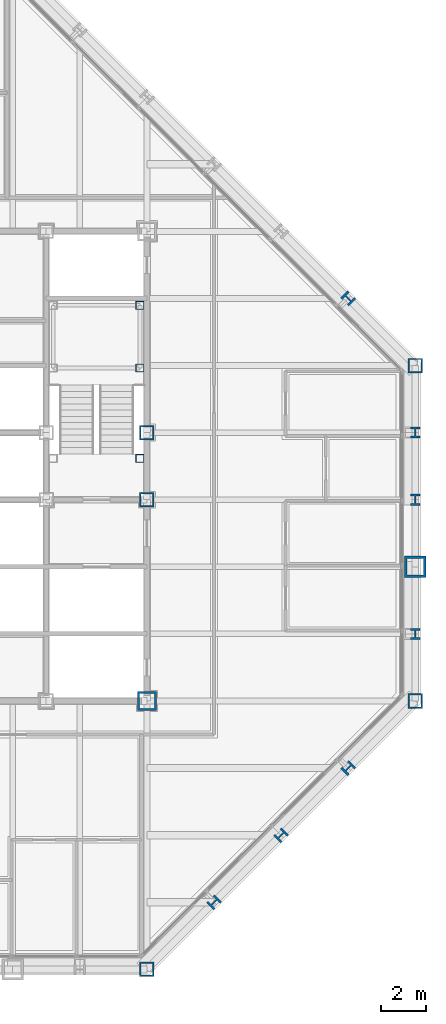
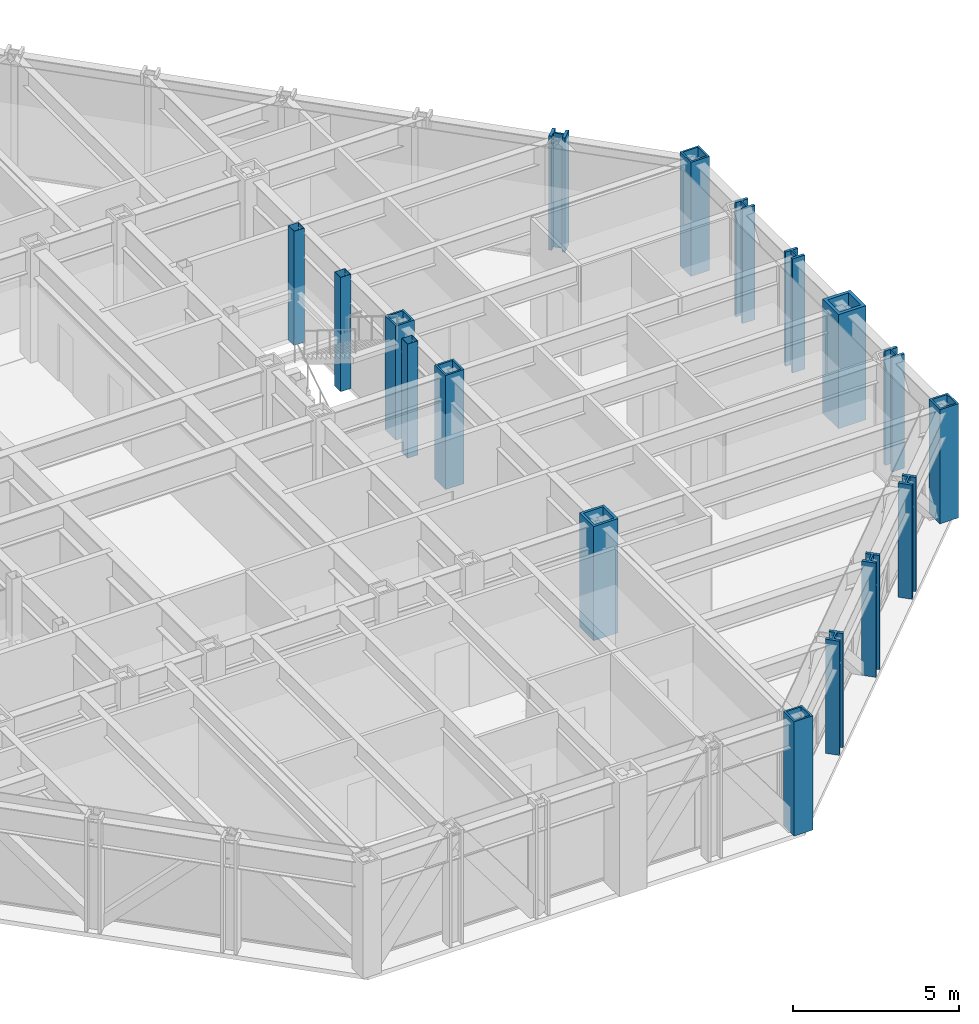
# One storey, part 3 of 16: 17 columns.
"""IFC4 building model written with IfcOpenShell, lengths in metres."""

from ifc_helpers import new_model, si_unit, direction, frame, origin, origin_2d, place, context, subcontext, project, spatial, hollow_rectangle, i_section, extrude, material, material_profile, profile_set, type_object, element, save


model = new_model("IFC4")

# Units and contexts
model_context = context("Model", 3, precision=1e-05, world=origin(), true_north=direction((0.0, 1.0)))
body_context = subcontext(model_context, "Body", "Model", "MODEL_VIEW")
ifc_project = project(units=[si_unit("LENGTHUNIT", "METRE"), si_unit("AREAUNIT", "SQUARE_METRE"), si_unit("VOLUMEUNIT", "CUBIC_METRE"), si_unit("PLANEANGLEUNIT", "RADIAN"), si_unit("MASSUNIT", "GRAM", prefix="KILO")], contexts=[model_context])

# Site, building, storey
site_placement = place(None, origin())
site = spatial("IfcSite", under=ifc_project, at=site_placement, CompositionType="ELEMENT")
building_placement = place(site_placement, origin())
building = spatial("IfcBuilding", under=site, at=building_placement, Name="Chuquiago Exchange Tower", CompositionType="ELEMENT")
storey_placement = place(building_placement, frame((0.0, 0.0, 205.5)))
storey = spatial("IfcBuildingStorey", under=building, at=storey_placement, Name="L45", CompositionType="ELEMENT", Elevation=205.5)

# Columns
ifc_material_1 = material(Name="Steel ASTM A992", Category="steel")
ifc_material_profile_1 = material_profile(ifc_material_1, i_section(OverallWidth=0.431884765625, OverallDepth=0.497802734375, WebThickness=0.0556640625, FlangeThickness=0.0888671875, at=origin_2d()), Name="W14X500")
ifc_profile_set_1 = profile_set([ifc_material_profile_1], Name="Steel ASTM A992")
column_type_1 = type_object("IfcColumnType", Name="C4 W14X500", PredefinedType="COLUMN", material=ifc_profile_set_1)
for number, where, z_axis, x_axis, name in (
    (1, (45.0, 15.0, 0.0), (0.0, 0.0, 1.0), (1.0, 0.0, 0.0), "COL-L45-45_15"),
    (2, (45.0, 21.0, 0.0), (0.0, 0.0, 1.0), (1.0, 0.0, 0.0), "COL-L45-45_21"),
    (3, (45.0, 24.0, 0.0), (0.0, 0.0, 1.0), (1.0, 0.0, 0.0), "COL-L45-45_24"),
):
    element("IfcColumn", number, at=place(storey_placement, frame(where, z_axis=z_axis, x_axis=x_axis)), inside=storey, type_object=column_type_1, Name=name, PredefinedType="COLUMN", context=body_context, shape_type="SweptSolid", body=[
        extrude(i_section(OverallWidth=0.431884765625, OverallDepth=0.497802734375, WebThickness=0.0556640625, FlangeThickness=0.0888671875, at=origin_2d()), origin(), (0.0, 0.0, 1.0), 4.199951171875),
    ])
ifc_material_2 = material(Name="Steel ASTM A572 Grade 50", Category="steel")
ifc_material_profile_2 = material_profile(ifc_material_2, hollow_rectangle(XDim=0.64990234375, YDim=0.64990234375, WallThickness=0.06494140625, at=origin_2d()), Name="BOX650X650X65")
ifc_profile_set_2 = profile_set([ifc_material_profile_2], Name="Steel ASTM A572 Grade 50")
column_type_2 = type_object("IfcColumnType", Name="CC4 BOX650X650X65", PredefinedType="COLUMN", material=ifc_profile_set_2)
for number, where, z_axis, x_axis, name in (
    (4, (33.0, 21.0, 0.0), (0.0, 0.0, 1.0), (1.0, 0.0, 0.0), "CCOL-L45-33_21"),
    (5, (33.0, 24.0, 0.0), (0.0, 0.0, 1.0), (1.0, 0.0, 0.0), "CCOL-L45-33_24"),
):
    element("IfcColumn", number, at=place(storey_placement, frame(where, z_axis=z_axis, x_axis=x_axis)), inside=storey, type_object=column_type_2, Name=name, PredefinedType="COLUMN", context=body_context, shape_type="SweptSolid", body=[
        extrude(hollow_rectangle(XDim=0.64990234375, YDim=0.64990234375, WallThickness=0.06494140625, at=origin_2d()), origin(), (0.0, 0.0, 1.0), 4.199951171875),
    ])
ifc_material_3 = material(Name="Steel ASTM A572 Grade 50", Category="steel")
ifc_material_profile_3 = material_profile(ifc_material_3, hollow_rectangle(XDim=0.85009765625, YDim=0.85009765625, WallThickness=0.0849609375, at=origin_2d()), Name="BOX850X850X85")
ifc_profile_set_3 = profile_set([ifc_material_profile_3], Name="Steel ASTM A572 Grade 50")
column_type_3 = type_object("IfcColumnType", Name="CC6 BOX850X850X85", PredefinedType="COLUMN", material=ifc_profile_set_3)
column_1_placement = place(storey_placement, frame((33.0, 12.0, 0.0), z_axis=(0.0, 0.0, 1.0), x_axis=(1.0, 0.0, 0.0)))
element("IfcColumn", 6, at=column_1_placement, inside=storey, type_object=column_type_3, Name="CCOL-L45-33_12", PredefinedType="COLUMN", context=body_context, shape_type="SweptSolid", body=[
    extrude(hollow_rectangle(XDim=0.85009765625, YDim=0.85009765625, WallThickness=0.0849609375, at=origin_2d()), origin(), (0.0, 0.0, 1.0), 4.199951171875),
])
ifc_material_4 = material(Name="Steel ASTM A992", Category="steel")
ifc_material_profile_4 = material_profile(ifc_material_4, i_section(OverallWidth=0.436767578125, OverallDepth=0.51318359375, WebThickness=0.060546875, FlangeThickness=0.096923828125, at=origin_2d()), Name="W14X550")
ifc_profile_set_4 = profile_set([ifc_material_profile_4], Name="Steel ASTM A992")
column_type_4 = type_object("IfcColumnType", Name="CK4 W14X550", PredefinedType="COLUMN", material=ifc_profile_set_4)
for number, where, z_axis, x_axis, name in (
    (7, (36.0, 3.0, 0.0), (0.0, 0.0, 1.0), (0.707106781187, -0.707106781187, 0.0), "COL-L45-36_3"),
    (8, (39.0, 6.0, 0.0), (0.0, 0.0, 1.0), (0.707106781187, -0.707106781187, 0.0), "COL-L45-39_6"),
    (9, (42.0, 9.0, 0.0), (0.0, 0.0, 1.0), (0.707106781187, -0.707106781187, 0.0), "COL-L45-42_9"),
    (10, (42.0, 30.0, 0.0), (0.0, 0.0, 1.0), (0.707106781187, 0.707106781187, 0.0), "COL-L45-42_30"),
):
    element("IfcColumn", number, at=place(storey_placement, frame(where, z_axis=z_axis, x_axis=x_axis)), inside=storey, type_object=column_type_4, Name=name, PredefinedType="COLUMN", context=body_context, shape_type="SweptSolid", body=[
        extrude(i_section(OverallWidth=0.436767578125, OverallDepth=0.51318359375, WebThickness=0.060546875, FlangeThickness=0.096923828125, at=origin_2d()), origin(), (0.0, 0.0, 1.0), 4.199951171875),
    ])
ifc_material_5 = material(Name="Steel ASTM A572 Grade 50", Category="steel")
ifc_material_profile_5 = material_profile(ifc_material_5, hollow_rectangle(XDim=0.64990234375, YDim=0.64990234375, WallThickness=0.06494140625, at=origin_2d()), Name="BOX650X650X65")
ifc_profile_set_5 = profile_set([ifc_material_profile_5], Name="Steel ASTM A572 Grade 50")
column_type_5 = type_object("IfcColumnType", Name="CN2 BOX650X650X65", PredefinedType="COLUMN", material=ifc_profile_set_5)
for number, where, z_axis, x_axis, name in (
    (11, (33.0, 0.0, 0.0), (0.0, 0.0, 1.0), (0.0, -1.0, 0.0), "COL-L45-33_0"),
    (12, (45.0, 12.0, 0.0), (0.0, 0.0, 1.0), (1.0, 0.0, 0.0), "COL-L45-45_12"),
    (13, (45.0, 27.0, 0.0), (0.0, 0.0, 1.0), (1.0, 0.0, 0.0), "COL-L45-45_27"),
):
    element("IfcColumn", number, at=place(storey_placement, frame(where, z_axis=z_axis, x_axis=x_axis)), inside=storey, type_object=column_type_5, Name=name, PredefinedType="COLUMN", context=body_context, shape_type="SweptSolid", body=[
        extrude(hollow_rectangle(XDim=0.64990234375, YDim=0.64990234375, WallThickness=0.06494140625, at=origin_2d()), origin(), (0.0, 0.0, 1.0), 4.199951171875),
    ])
ifc_material_6 = material(Name="Steel ASTM A572 Grade 42", Category="steel")
ifc_material_profile_6 = material_profile(ifc_material_6, hollow_rectangle(XDim=0.949951171875, YDim=0.949951171875, WallThickness=0.110107421875, at=origin_2d()), Name="BOX950X950X110")
ifc_profile_set_6 = profile_set([ifc_material_profile_6], Name="Steel ASTM A572 Grade 42")
column_type_6 = type_object("IfcColumnType", Name="CT1 BOX950X950X110", PredefinedType="COLUMN", material=ifc_profile_set_6)
column_2_placement = place(storey_placement, frame((45.0, 18.0, 0.0), z_axis=(0.0, 0.0, 1.0), x_axis=(1.0, 0.0, 0.0)))
element("IfcColumn", 14, at=column_2_placement, inside=storey, type_object=column_type_6, Name="COL-L45-45_18", PredefinedType="COLUMN", context=body_context, shape_type="SweptSolid", body=[
    extrude(hollow_rectangle(XDim=0.949951171875, YDim=0.949951171875, WallThickness=0.110107421875, at=origin_2d()), origin(), (0.0, 0.0, 1.0), 4.199951171875),
])
ifc_material_7 = material(Name="Steel ASTM A500 Grade C", Category="steel")
ifc_material_profile_7 = material_profile(ifc_material_7, hollow_rectangle(XDim=0.355712890625, YDim=0.355712890625, WallThickness=0.0087890625, at=origin_2d()), Name="HSS14X14X3/8")
ifc_profile_set_7 = profile_set([ifc_material_profile_7], Name="Steel ASTM A500 Grade C")
column_type_7 = type_object("IfcColumnType", Name="PT1 HSS14X14X3/8", PredefinedType="COLUMN", material=ifc_profile_set_7)
for number, where, z_axis, x_axis, name in (
    (15, (32.68994140625, 29.68994140625, 0.0), (0.0, 0.0, 1.0), (1.0, 0.0, 0.0), "Stair ST2 L45 landing post"),
    (16, (32.68994140625, 26.889892578125, 0.0), (0.0, 0.0, 1.0), (1.0, 0.0, 0.0), "Stair ST2 L45 landing post"),
    (17, (32.68994140625, 22.85009765625, 0.0), (0.0, 0.0, 1.0), (1.0, 0.0, 0.0), "Stair ST2 L45 landing post"),
):
    element("IfcColumn", number, at=place(storey_placement, frame(where, z_axis=z_axis, x_axis=x_axis)), inside=storey, type_object=column_type_7, Name=name, PredefinedType="COLUMN", context=body_context, shape_type="SweptSolid", body=[
        extrude(hollow_rectangle(XDim=0.355712890625, YDim=0.355712890625, WallThickness=0.0087890625, at=origin_2d()), origin(), (0.0, 0.0, 1.0), 4.199951171875),
    ])

save(model, "model.ifc")
